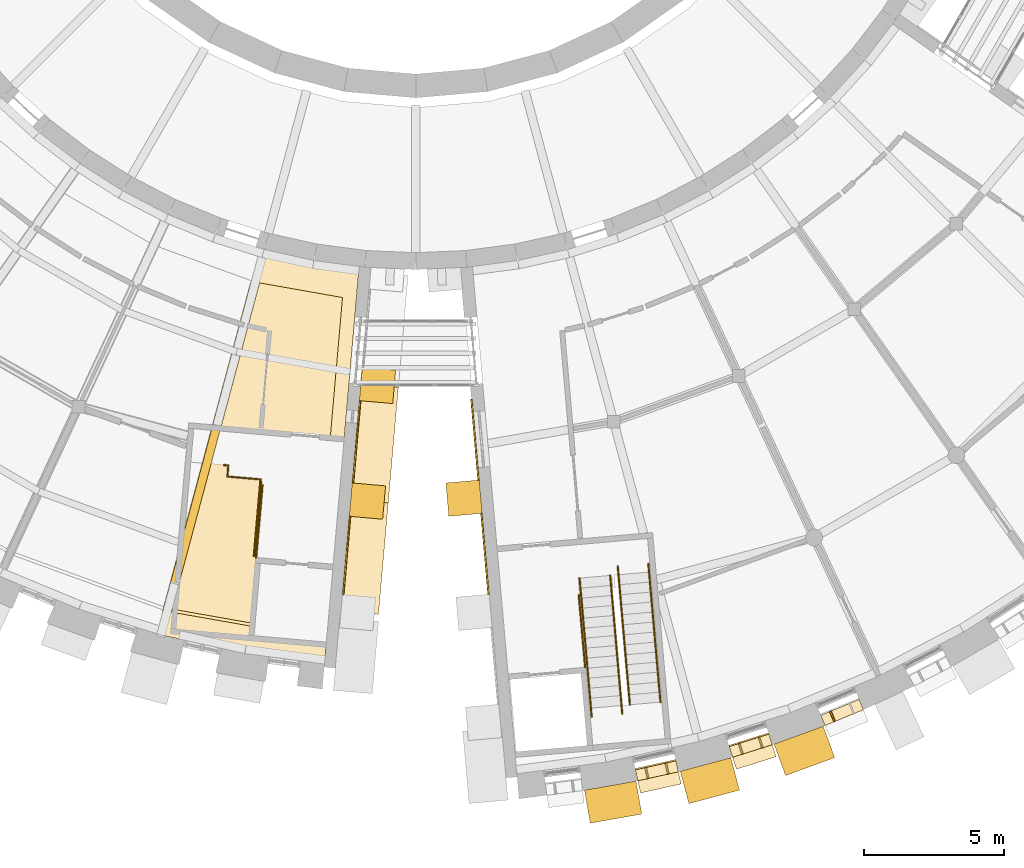
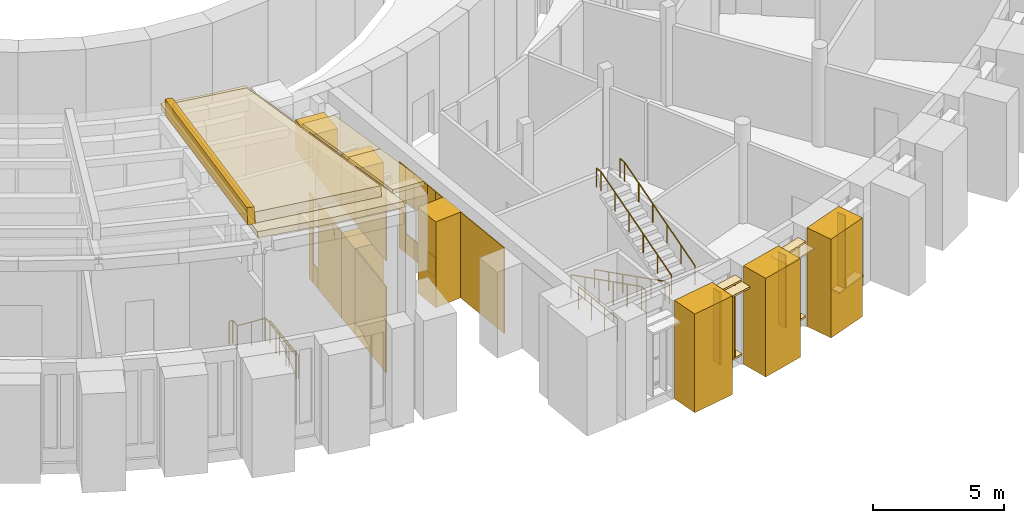
# One storey, part 53 of 66: 41 coverings, 7 railings.
"""IFC4 building model written with IfcOpenShell, lengths in metres."""

from ifc_helpers import new_model, si_unit, direction, frame, origin, origin_2d, place, context, subcontext, project, spatial, polyline, rectangle, circle, outline, extrude, material, layer, layer_set, type_object, element, save


model = new_model("IFC4")

# Units and contexts
model_context = context("Model", 3, precision=1e-05, world=origin(), true_north=direction((0.0, 1.0)))
body_context = subcontext(model_context, "Body", "Model", "MODEL_VIEW")
ifc_project = project(units=[si_unit("LENGTHUNIT", "METRE"), si_unit("AREAUNIT", "SQUARE_METRE"), si_unit("VOLUMEUNIT", "CUBIC_METRE"), si_unit("PLANEANGLEUNIT", "RADIAN"), si_unit("MASSUNIT", "GRAM", prefix="KILO")], contexts=[model_context])

# Site, building, storey
site_placement = place(None, origin())
site = spatial("IfcSite", under=ifc_project, at=site_placement, CompositionType="ELEMENT")
building_placement = place(site_placement, origin())
building = spatial("IfcBuilding", under=site, at=building_placement, Name="Volute Hill Aquarium", CompositionType="ELEMENT")
storey_placement = place(building_placement, frame((0.0, 0.0, 4.60009765625)))
storey = spatial("IfcBuildingStorey", under=building, at=storey_placement, Name="L02", CompositionType="ELEMENT", Elevation=4.60009765625)

# Coverings
ifc_material_1 = material(Name="Precast concrete C40/50", Category="concrete")
covering_type_1 = type_object("IfcCoveringType", Name="End wall precast coping C40/50 1350x200", PredefinedType="CLADDING", material=ifc_material_1)
covering_1_placement = place(storey_placement, frame((-1.970458984375, -25.103759765625, 6.6162109375), z_axis=(-0.996195309833, 0.087148750227, 0.0), x_axis=(-0.084403750156, -0.964817278714, 0.249005272344)))
element("IfcCovering", 1, at=covering_1_placement, inside=storey, type_object=covering_type_1, Name="End wall coping EWC S2B L02 2", PredefinedType="CLADDING", context=body_context, shape_type="SweptSolid", body=[
    extrude(outline(polyline([(0.0, 0.0), (4.295411370431066, 0.0), (4.345200266439362, 0.19365313570521092), (0.0498496883111152, 0.1938895864203576), (0.0, 0.0)])), origin(), (0.0, 0.0, -1.0), 1.35009765625),
])
covering_2_placement = place(storey_placement, frame((-2.3330078125, -29.248046875, 7.685791015625), z_axis=(-0.996197285348, 0.08712616522, 0.0), x_axis=(-0.084382849387, -0.964830315637, 0.248961837955)))
element("IfcCovering", 2, at=covering_2_placement, inside=storey, type_object=covering_type_1, Name="End wall coping EWC S2B L02 3", PredefinedType="CLADDING", context=body_context, shape_type="SweptSolid", body=[
    extrude(outline(polyline([(0.0, 0.0), (4.140239834415203, 0.0), (4.190080827365153, 0.19389182182014697), (0.04978021125123129, 0.19365536837890285), (0.0, 0.0)])), origin(), (0.0, 0.0, -1.0), 1.35009765625),
])
ifc_material_2 = material(Name="Precast concrete C40/50", Category="concrete")
covering_type_2 = type_object("IfcCoveringType", Name="End wall precast fin C40/50 1200x1200", PredefinedType="CLADDING", material=ifc_material_2)
covering_3_placement = place(storey_placement, frame((-1.372802734375, -25.156005859375, 5.199951171875), z_axis=(0.0, 0.0, 1.0), x_axis=(-0.087151294349, -0.996195087266, 0.0)))
element("IfcCovering", 3, at=covering_3_placement, inside=storey, type_object=covering_type_2, Name="End wall fin EWF S2B L02 2", PredefinedType="CLADDING", context=body_context, shape_type="SweptSolid", body=[
    extrude(rectangle(XDim=1.199951171875, YDim=1.199951171875, at=origin_2d()), origin(), (0.0, 0.0, 1.0), 1.41650390625),
])
covering_4_placement = place(storey_placement, frame((-1.7353515625, -29.30029296875, 0.0), z_axis=(0.0, 0.0, 1.0), x_axis=(-0.087151294349, -0.996195087266, 0.0)))
element("IfcCovering", 4, at=covering_4_placement, inside=storey, type_object=covering_type_2, Name="End wall fin EWF S2B L02 3", PredefinedType="CLADDING", context=body_context, shape_type="SweptSolid", body=[
    extrude(rectangle(XDim=1.199951171875, YDim=1.199951171875, at=origin_2d()), origin(), (0.0, 0.0, 1.0), 4.0),
])
covering_5_placement = place(storey_placement, frame((-1.7353515625, -29.30029296875, 5.199951171875), z_axis=(0.0, 0.0, 1.0), x_axis=(-0.087151294349, -0.996195087266, 0.0)))
element("IfcCovering", 5, at=covering_5_placement, inside=storey, type_object=covering_type_2, Name="End wall fin EWF S2B L02 3", PredefinedType="CLADDING", context=body_context, shape_type="SweptSolid", body=[
    extrude(rectangle(XDim=1.199951171875, YDim=1.199951171875, at=origin_2d()), origin(), (0.0, 0.0, 1.0), 2.48583984375),
])
covering_6_placement = place(storey_placement, frame((1.72607421875, -29.195556640625, 0.0), z_axis=(0.0, 0.0, 1.0), x_axis=(0.0871544444, -0.996194811682, 0.0)))
element("IfcCovering", 6, at=covering_6_placement, inside=storey, type_object=covering_type_2, Name="End wall fin EWF S3A L02 3", PredefinedType="CLADDING", context=body_context, shape_type="SweptSolid", body=[
    extrude(rectangle(XDim=1.199951171875, YDim=1.199951171875, at=origin_2d()), origin(), (0.0, 0.0, 1.0), 4.0),
])
ifc_material_3 = material(Name="Precast concrete C40/50", Category="concrete")
ifc_layer_1 = layer(ifc_material_3, 0.050048828125)
ifc_layer_set_1 = layer_set([ifc_layer_1], Name="End wall precast infill panel C40/50 50")
covering_type_3 = type_object("IfcCoveringType", Name="End wall precast infill panel C40/50 50", PredefinedType="CLADDING", material=ifc_layer_set_1)
covering_7_placement = place(storey_placement, frame((-2.022705078125, -25.701416015625, 0.0), z_axis=(-0.996198047292, 0.087117452734, 0.0), x_axis=(-0.087117452734, -0.996198047292, 0.0)))
element("IfcCovering", 7, at=covering_7_placement, inside=storey, type_object=covering_type_3, Name="End wall panel EWP S2B L02 2", PredefinedType="CLADDING", context=body_context, shape_type="SweptSolid", body=[
    extrude(outline(polyline([(0.0, 0.0), (0.3671184231328444, 0.0), (0.3671184231328444, 4.0), (0.0, 4.0), (0.0, 0.0)])), origin(), (0.0, 0.0, -1.0), 0.050048828125),
])
covering_8_placement = place(storey_placement, frame((-2.022705078125, -25.701416015625, 5.199951171875), z_axis=(-0.996198047292, 0.087117452734, 0.0), x_axis=(-0.087117452734, -0.996198047292, 0.0)))
element("IfcCovering", 8, at=covering_8_placement, inside=storey, type_object=covering_type_3, Name="End wall panel EWP S2B L02 2", PredefinedType="CLADDING", context=body_context, shape_type="SweptSolid", body=[
    extrude(outline(polyline([(0.0, 0.0), (0.3671184231328444, 0.0), (0.3671184231328444, 1.6650390625000004), (0.0, 1.5705566406250004), (0.0, 0.0)])), origin(), (0.0, 0.0, -1.0), 0.050048828125),
])
covering_9_placement = place(storey_placement, frame((-2.0546875, -26.067138671875, 0.0), z_axis=(-0.996177209405, 0.087355408886, 0.0), x_axis=(-0.087355408886, -0.996177209405, 0.0)))
element("IfcCovering", 9, at=covering_9_placement, inside=storey, type_object=covering_type_3, Name="End wall panel EWP S2B L02 2", PredefinedType="CLADDING", context=body_context, shape_type="SweptSolid", body=[
    extrude(outline(polyline([(0.0, 0.0), (0.4499622991451707, 0.0), (0.4499622991451707, 0.89990234375), (0.0, 0.89990234375), (0.0, 0.0)])), origin(), (0.0, 0.0, -1.0), 0.050048828125),
])
covering_10_placement = place(storey_placement, frame((-2.0546875, -26.067138671875, 5.199951171875), z_axis=(-0.996177209405, 0.087355408886, 0.0), x_axis=(-0.087355408886, -0.996177209405, 0.0)))
element("IfcCovering", 10, at=covering_10_placement, inside=storey, type_object=covering_type_3, Name="End wall panel EWP S2B L02 2", PredefinedType="CLADDING", context=body_context, shape_type="SweptSolid", body=[
    extrude(outline(polyline([(0.0, 0.0), (0.4499622991451707, 0.0), (0.4499622991451707, 1.78076171875), (0.0, 1.6650390625), (0.0, 0.0)])), origin(), (0.0, 0.0, -1.0), 0.050048828125),
])
covering_11_placement = place(storey_placement, frame((-2.093994140625, -26.515380859375, 0.0), z_axis=(-0.996194706736, 0.087155643945, 0.0), x_axis=(-0.087155643945, -0.996194706736, 0.0)))
element("IfcCovering", 11, at=covering_11_placement, inside=storey, type_object=covering_type_3, Name="End wall panel EWP S2B L02 2", PredefinedType="CLADDING", context=body_context, shape_type="SweptSolid", body=[
    extrude(outline(polyline([(0.0, 0.0), (2.1429200642861876, 0.0), (2.1429200642861876, 4.0), (0.0, 4.0), (0.0, 0.0)])), origin(), (0.0, 0.0, -1.0), 0.050048828125),
])
covering_12_placement = place(storey_placement, frame((-2.093994140625, -26.515380859375, 5.199951171875), z_axis=(-0.996194706736, 0.087155643945, 0.0), x_axis=(-0.087155643945, -0.996194706736, 0.0)))
element("IfcCovering", 12, at=covering_12_placement, inside=storey, type_object=covering_type_3, Name="End wall panel EWP S2B L02 2", PredefinedType="CLADDING", context=body_context, shape_type="SweptSolid", body=[
    extrude(outline(polyline([(0.0, 0.0), (2.1429200642861876, 0.0), (2.1429200642861876, 2.33154296875), (0.0, 1.78076171875), (0.0, 0.0)])), origin(), (0.0, 0.0, -1.0), 0.050048828125),
])
covering_13_placement = place(storey_placement, frame((-2.38525390625, -29.845703125, 0.0), z_axis=(-0.996195791942, 0.087143239082, 0.0), x_axis=(-0.087143239082, -0.996195791942, 0.0)))
element("IfcCovering", 13, at=covering_13_placement, inside=storey, type_object=covering_type_3, Name="End wall panel EWP S2B L02 3", PredefinedType="CLADDING", context=body_context, shape_type="SweptSolid", body=[
    extrude(outline(polyline([(0.0, 0.0), (2.810006254688103, 0.0), (2.810006254688103, 4.0), (0.0, 4.0), (0.0, 0.0)])), origin(), (0.0, 0.0, -1.0), 0.050048828125),
])
covering_14_placement = place(storey_placement, frame((-2.38525390625, -29.845703125, 5.199951171875), z_axis=(-0.996195791942, 0.087143239082, 0.0), x_axis=(-0.087143239082, -0.996195791942, 0.0)))
element("IfcCovering", 14, at=covering_14_placement, inside=storey, type_object=covering_type_3, Name="End wall panel EWP S2B L02 3", PredefinedType="CLADDING", context=body_context, shape_type="SweptSolid", body=[
    extrude(outline(polyline([(0.0, 0.0), (2.810006254688103, 0.0), (2.810006254688103, 3.3625488281249996), (0.0, 2.6401367187499996), (0.0, 0.0)])), origin(), (0.0, 0.0, -1.0), 0.050048828125),
])
covering_15_placement = place(storey_placement, frame((1.968505859375, -25.653564453125, 0.0), z_axis=(-0.996224282231, -0.086816930913, 0.0), x_axis=(0.086816930913, -0.996224282231, 0.0)))
element("IfcCovering", 15, at=covering_15_placement, inside=storey, type_object=covering_type_3, Name="End wall panel EWP S3A L02 2", PredefinedType="CLADDING", context=body_context, shape_type="SweptSolid", body=[
    extrude(outline(polyline([(0.0, 0.0), (0.44994103787166956, 0.0), (0.44994103787166956, 3.9999999999999996), (0.0, 3.9999999999999996), (0.0, 0.0)])), origin(), (0.0, 0.0, -1.0), 0.050048828125),
])
covering_16_placement = place(storey_placement, frame((2.007568359375, -26.101806640625, 0.0), z_axis=(-0.996184142487, -0.087276309829, 0.0), x_axis=(0.087276309829, -0.996184142487, 0.0)))
element("IfcCovering", 16, at=covering_16_placement, inside=storey, type_object=covering_type_3, Name="End wall panel EWP S3A L02 2", PredefinedType="CLADDING", context=body_context, shape_type="SweptSolid", body=[
    extrude(outline(polyline([(0.0, 0.0), (0.553871306486046, 0.0), (0.553871306486046, 0.89990234375), (0.0, 0.89990234375), (0.0, 0.0)])), origin(), (0.0, 0.0, -1.0), 0.050048828125),
])
covering_17_placement = place(storey_placement, frame((2.007568359375, -26.101806640625, 2.39990234375), z_axis=(-0.996184142487, -0.087276309829, 0.0), x_axis=(0.087276309829, -0.996184142487, 0.0)))
element("IfcCovering", 17, at=covering_17_placement, inside=storey, type_object=covering_type_3, Name="End wall panel EWP S3A L02 2", PredefinedType="CLADDING", context=body_context, shape_type="SweptSolid", body=[
    extrude(outline(polyline([(0.0, 0.0), (0.553871306486046, 0.0), (0.553871306486046, 1.60009765625), (0.0, 1.60009765625), (0.0, 0.0)])), origin(), (0.0, 0.0, -1.0), 0.050048828125),
])
covering_18_placement = place(storey_placement, frame((2.055908203125, -26.653564453125, 0.0), z_axis=(-0.996200781645, -0.087086179441, 0.0), x_axis=(0.087086179441, -0.996200781645, 0.0)))
element("IfcCovering", 18, at=covering_18_placement, inside=storey, type_object=covering_type_3, Name="End wall panel EWP S3A L02 2", PredefinedType="CLADDING", context=body_context, shape_type="SweptSolid", body=[
    extrude(outline(polyline([(0.0, 0.0), (0.8999033041507525, 0.0), (0.8999033041507525, 0.89990234375), (0.0, 0.89990234375), (0.0, 0.0)])), origin(), (0.0, 0.0, -1.0), 0.050048828125),
])
covering_19_placement = place(storey_placement, frame((2.055908203125, -26.653564453125, 2.39990234375), z_axis=(-0.996200781645, -0.087086179441, 0.0), x_axis=(0.087086179441, -0.996200781645, 0.0)))
element("IfcCovering", 19, at=covering_19_placement, inside=storey, type_object=covering_type_3, Name="End wall panel EWP S3A L02 2", PredefinedType="CLADDING", context=body_context, shape_type="SweptSolid", body=[
    extrude(outline(polyline([(0.0, 0.0), (0.8999033041507525, 0.0), (0.8999033041507525, 1.60009765625), (0.0, 1.60009765625), (0.0, 0.0)])), origin(), (0.0, 0.0, -1.0), 0.050048828125),
])
covering_20_placement = place(storey_placement, frame((2.13427734375, -27.550048828125, 0.0), z_axis=(-0.996184142487, -0.087276309829, 0.0), x_axis=(0.087276309829, -0.996184142487, 0.0)))
element("IfcCovering", 20, at=covering_20_placement, inside=storey, type_object=covering_type_3, Name="End wall panel EWP S3A L02 2", PredefinedType="CLADDING", context=body_context, shape_type="SweptSolid", body=[
    extrude(outline(polyline([(0.0, 0.0), (0.553871306486046, 0.0), (0.553871306486046, 0.89990234375), (0.0, 0.89990234375), (0.0, 0.0)])), origin(), (0.0, 0.0, -1.0), 0.050048828125),
])
covering_21_placement = place(storey_placement, frame((2.13427734375, -27.550048828125, 2.39990234375), z_axis=(-0.996184142487, -0.087276309829, 0.0), x_axis=(0.087276309829, -0.996184142487, 0.0)))
element("IfcCovering", 21, at=covering_21_placement, inside=storey, type_object=covering_type_3, Name="End wall panel EWP S3A L02 2", PredefinedType="CLADDING", context=body_context, shape_type="SweptSolid", body=[
    extrude(outline(polyline([(0.0, 0.0), (0.553871306486046, 0.0), (0.553871306486046, 1.60009765625), (0.0, 1.60009765625), (0.0, 0.0)])), origin(), (0.0, 0.0, -1.0), 0.050048828125),
])
covering_22_placement = place(storey_placement, frame((2.1826171875, -28.101806640625, 0.0), z_axis=(-0.996224282231, -0.086816930913, 0.0), x_axis=(0.086816930913, -0.996224282231, 0.0)))
element("IfcCovering", 22, at=covering_22_placement, inside=storey, type_object=covering_type_3, Name="End wall panel EWP S3A L02 2", PredefinedType="CLADDING", context=body_context, shape_type="SweptSolid", body=[
    extrude(outline(polyline([(0.0, 0.0), (0.44994103787166956, 0.0), (0.44994103787166956, 3.9999999999999996), (0.0, 3.9999999999999996), (0.0, 0.0)])), origin(), (0.0, 0.0, -1.0), 0.050048828125),
])
covering_23_placement = place(storey_placement, frame((2.326416015625, -29.745361328125, 0.0), z_axis=(-0.996194446597, -0.087158617293, 0.0), x_axis=(0.087158617293, -0.996194446597, 0.0)))
element("IfcCovering", 23, at=covering_23_placement, inside=storey, type_object=covering_type_3, Name="End wall panel EWP S3A L02 3", PredefinedType="CLADDING", context=body_context, shape_type="SweptSolid", body=[
    extrude(outline(polyline([(0.0, 0.0), (2.907549208784697, 0.0), (2.907549208784697, 4.0), (0.0, 4.0), (0.0, 0.0)])), origin(), (0.0, 0.0, -1.0), 0.050048828125),
])
ifc_material_4 = material(Name="Planted growing medium")
ifc_layer_2 = layer(ifc_material_4, 0.25)
ifc_layer_set_2 = layer_set([ifc_layer_2], Name="Green roof build-up 250")
covering_type_4 = type_object("IfcCoveringType", Name="Green roof build-up 250", PredefinedType="ROOFING", material=ifc_layer_set_2)
covering_24_placement = place(storey_placement, frame((-3.646484375, -20.680908203125, 6.07861328125), z_axis=(0.043410368735, 0.246089475959, 0.968274501218), x_axis=(-0.976246328696, 0.216372663784, -0.011223906366)))
element("IfcCovering", 24, at=covering_24_placement, inside=storey, type_object=covering_type_4, Name="Planted roof RF S2 5", PredefinedType="ROOFING", context=body_context, shape_type="SweptSolid", body=[
    extrude(outline(polyline([(0.0, 0.0), (1.8323459141790461, 3.0357660829594124e-17), (2.415506329473509, 14.752971212987514), (-0.6642702097668699, 14.75312007011782), (-3.5319443303227405, 14.494308350104383), (-1.6251610635857208, -0.14658838000592583), (0.0, 0.0)])), origin(), (0.0, 0.0, -1.0), 0.25),
])

# Railings
ifc_material_5 = material(Name="Stainless steel 1.4301", Category="steel")
railing_type_1 = type_object("IfcRailingType", Name="Guard 1100 stainless", PredefinedType="GUARDRAIL", material=ifc_material_5)
railing_1_placement = place(storey_placement, frame((-5.721435546875, -31.320556640625, 0.0)))
element("IfcRailing", 25, at=railing_1_placement, inside=storey, type_object=railing_type_1, Name="gd/S2-B/L02/edge", PredefinedType="GUARDRAIL", context=body_context, shape_type="SweptSolid", body=[
    extrude(circle(Radius=0.02392578125, at=origin_2d()), frame((0.0, 0.0, 1.076171875), z_axis=(0.087140158824, 0.996196061386, 0.0), x_axis=(-0.996196061386, 0.087140158824, 0.0)), (0.0, 0.0, 1.0), 2.60009765625),
    extrude(circle(Radius=0.02099609375, at=origin_2d()), origin(), (0.0, 0.0, 1.0), 1.052001953125),
    extrude(circle(Radius=0.02099609375, at=origin_2d()), frame((0.075439453125, 0.86328125, 0.0)), (0.0, 0.0, 1.0), 1.052001953125),
    extrude(circle(Radius=0.02099609375, at=origin_2d()), frame((0.151123046875, 1.726806640625, 0.0)), (0.0, 0.0, 1.0), 1.052001953125),
    extrude(circle(Radius=0.02099609375, at=origin_2d()), frame((0.2265625, 2.590087890625, 0.0)), (0.0, 0.0, 1.0), 1.052001953125),
])
railing_2_placement = place(storey_placement, frame((-6.8671875, -28.008056640625, 0.0)))
element("IfcRailing", 26, at=railing_2_placement, inside=storey, type_object=railing_type_1, Name="gd/S2-B/L02/well", PredefinedType="GUARDRAIL", context=body_context, shape_type="SweptSolid", body=[
    extrude(circle(Radius=0.02392578125, at=origin_2d()), frame((0.0, 0.0, 1.076171875), z_axis=(0.99627106838, -0.086278376837, 0.0), x_axis=(0.086278376837, 0.99627106838, 0.0)), (0.0, 0.0, 1.0), 0.14990234375),
    extrude(circle(Radius=0.02392578125, at=origin_2d()), frame((0.1494140625, -0.012939453125, 1.076171875), z_axis=(-0.087235057608, -0.996187755759, 0.0), x_axis=(0.996187755759, -0.087235057608, 0.0)), (0.0, 0.0, 1.0), 0.400146484375),
    extrude(circle(Radius=0.02392578125, at=origin_2d()), frame((0.114501953125, -0.41162109375, 1.076171875), z_axis=(0.996202324311, -0.087068530693, 0.0), x_axis=(0.087068530693, 0.996202324311, 0.0)), (0.0, 0.0, 1.0), 1.2001953125),
    extrude(circle(Radius=0.02392578125, at=origin_2d()), frame((1.31005859375, -0.51611328125, 1.076171875), z_axis=(-0.087181267293, -0.996192464654, 0.0), x_axis=(0.996192464654, -0.087181267293, 0.0)), (0.0, 0.0, 1.0), 2.75),
    extrude(circle(Radius=0.02099609375, at=origin_2d()), origin(), (0.0, 0.0, 1.0), 1.052001953125),
    extrude(circle(Radius=0.02099609375, at=origin_2d()), frame((0.1494140625, -0.012939453125, 0.0)), (0.0, 0.0, 1.0), 1.052001953125),
    extrude(circle(Radius=0.02099609375, at=origin_2d()), frame((0.114501953125, -0.41162109375, 0.0)), (0.0, 0.0, 1.0), 1.052001953125),
    extrude(circle(Radius=0.02099609375, at=origin_2d()), frame((0.71240234375, -0.4638671875, 0.0)), (0.0, 0.0, 1.0), 1.052001953125),
    extrude(circle(Radius=0.02099609375, at=origin_2d()), frame((1.31005859375, -0.51611328125, 0.0)), (0.0, 0.0, 1.0), 1.052001953125),
    extrude(circle(Radius=0.02099609375, at=origin_2d()), frame((1.230224609375, -1.42919921875, 0.0)), (0.0, 0.0, 1.0), 1.052001953125),
    extrude(circle(Radius=0.02099609375, at=origin_2d()), frame((1.150146484375, -2.342529296875, 0.0)), (0.0, 0.0, 1.0), 1.052001953125),
    extrude(circle(Radius=0.02099609375, at=origin_2d()), frame((1.0703125, -3.255615234375, 0.0)), (0.0, 0.0, 1.0), 1.052001953125),
])
railing_3_placement = place(storey_placement, frame((6.06591796875, -35.255615234375, 0.0)))
element("IfcRailing", 27, at=railing_3_placement, inside=storey, type_object=railing_type_1, Name="gd/S3-A/L02/edge", PredefinedType="GUARDRAIL", context=body_context, shape_type="SweptSolid", body=[
    extrude(circle(Radius=0.02392578125, at=origin_2d()), frame((0.0, 0.0, 1.076171875), z_axis=(-0.087225186436, 0.996188620117, 0.0), x_axis=(-0.996188620117, -0.087225186436, 0.0)), (0.0, 0.0, 1.0), 2.600341796875),
    extrude(circle(Radius=0.02099609375, at=origin_2d()), origin(), (0.0, 0.0, 1.0), 1.052001953125),
    extrude(circle(Radius=0.02099609375, at=origin_2d()), frame((-0.07568359375, 0.863525390625, 0.0)), (0.0, 0.0, 1.0), 1.052001953125),
    extrude(circle(Radius=0.02099609375, at=origin_2d()), frame((-0.151123046875, 1.726806640625, 0.0)), (0.0, 0.0, 1.0), 1.052001953125),
    extrude(circle(Radius=0.02099609375, at=origin_2d()), frame((-0.226806640625, 2.59033203125, 0.0)), (0.0, 0.0, 1.0), 1.052001953125),
])
railing_4_placement = place(storey_placement, frame((5.86669921875, -32.060791015625, 0.164306640625)))
element("IfcRailing", 28, at=railing_4_placement, inside=storey, type_object=railing_type_1, Name="gd/S3-A/L02/1", PredefinedType="GUARDRAIL", context=body_context, shape_type="SweptSolid", body=[
    extrude(circle(Radius=0.02392578125, at=origin_2d()), frame((0.0, 0.0, 1.076171875), z_axis=(0.079258608814, -0.906300834673, 0.415134761253), x_axis=(0.996197793412, 0.087120355834, 0.0)), (0.0, 0.0, 1.0), 5.14404296875),
    extrude(circle(Radius=0.02392578125, at=origin_2d()), frame((0.40771484375, -4.662109375, 3.21142578125), z_axis=(0.087086179441, -0.996200781645, 0.0), x_axis=(0.996200781645, 0.087086179441, 0.0)), (0.0, 0.0, 1.0), 0.300048828125),
    extrude(circle(Radius=0.02099609375, at=origin_2d()), origin(), (0.0, 0.0, 1.0), 1.052001953125),
    extrude(circle(Radius=0.02099609375, at=origin_2d()), frame((0.08154296875, -0.932373046875, 0.427001953125)), (0.0, 0.0, 1.0), 1.052001953125),
    extrude(circle(Radius=0.02099609375, at=origin_2d()), frame((0.1630859375, -1.86474609375, 0.854248046875)), (0.0, 0.0, 1.0), 1.052001953125),
    extrude(circle(Radius=0.02099609375, at=origin_2d()), frame((0.24462890625, -2.79736328125, 1.28125)), (0.0, 0.0, 1.0), 1.052001953125),
    extrude(circle(Radius=0.02099609375, at=origin_2d()), frame((0.326171875, -3.729736328125, 1.70849609375)), (0.0, 0.0, 1.0), 1.052001953125),
    extrude(circle(Radius=0.02099609375, at=origin_2d()), frame((0.40771484375, -4.662109375, 2.135498046875)), (0.0, 0.0, 1.0), 1.052001953125),
    extrude(circle(Radius=0.02099609375, at=origin_2d()), frame((0.433837890625, -4.9609375, 2.135498046875)), (0.0, 0.0, 1.0), 1.052001953125),
])
ifc_material_6 = material(Name="Stainless steel 1.4301", Category="steel")
railing_type_2 = type_object("IfcRailingType", Name="Handrail 48 stainless", PredefinedType="HANDRAIL", material=ifc_material_6)
railing_5_placement = place(storey_placement, frame((6.96240234375, -31.96484375, 0.164306640625)))
element("IfcRailing", 29, at=railing_5_placement, inside=storey, type_object=railing_type_2, Name="hr/S3-A/L02/2", PredefinedType="HANDRAIL", context=body_context, shape_type="SweptSolid", body=[
    extrude(circle(Radius=0.02392578125, at=origin_2d()), frame((0.0, 0.0, 0.8759765625), z_axis=(0.07930577065, -0.9062974245, 0.415133199209), x_axis=(0.996193264484, 0.087172127406, 0.0)), (0.0, 0.0, 1.0), 5.14404296875),
    extrude(circle(Radius=0.02392578125, at=origin_2d()), frame((0.407958984375, -4.662109375, 3.01123046875), z_axis=(0.087086179441, -0.996200781645, 0.0), x_axis=(0.996200781645, 0.087086179441, 0.0)), (0.0, 0.0, 1.0), 0.300048828125),
    extrude(circle(Radius=0.02099609375, at=origin_2d()), origin(), (0.0, 0.0, 1.0), 0.851806640625),
    extrude(circle(Radius=0.02099609375, at=origin_2d()), frame((0.08154296875, -0.932373046875, 0.427001953125)), (0.0, 0.0, 1.0), 0.851806640625),
    extrude(circle(Radius=0.02099609375, at=origin_2d()), frame((0.1630859375, -1.86474609375, 0.854248046875)), (0.0, 0.0, 1.0), 0.851806640625),
    extrude(circle(Radius=0.02099609375, at=origin_2d()), frame((0.244873046875, -2.79736328125, 1.28125)), (0.0, 0.0, 1.0), 0.851806640625),
    extrude(circle(Radius=0.02099609375, at=origin_2d()), frame((0.326416015625, -3.729736328125, 1.70849609375)), (0.0, 0.0, 1.0), 0.851806640625),
    extrude(circle(Radius=0.02099609375, at=origin_2d()), frame((0.407958984375, -4.662109375, 2.135498046875)), (0.0, 0.0, 1.0), 0.851806640625),
    extrude(circle(Radius=0.02099609375, at=origin_2d()), frame((0.43408203125, -4.9609375, 2.135498046875)), (0.0, 0.0, 1.0), 0.851806640625),
])
railing_6_placement = place(storey_placement, frame((7.669189453125, -36.600830078125, 2.464111328125)))
element("IfcRailing", 30, at=railing_6_placement, inside=storey, type_object=railing_type_2, Name="hr/S3-A/L02/3", PredefinedType="HANDRAIL", context=body_context, shape_type="SweptSolid", body=[
    extrude(circle(Radius=0.02392578125, at=origin_2d()), frame((0.0, 0.0, 0.8759765625), z_axis=(-0.079304208105, 0.90627956791, 0.415172479057), x_axis=(-0.996193264484, -0.087172127406, 0.0)), (0.0, 0.0, 1.0), 5.144287109375),
    extrude(circle(Radius=0.02392578125, at=origin_2d()), frame((-0.407958984375, 4.662109375, 3.01171875), z_axis=(-0.087086179441, 0.996200781645, 0.0), x_axis=(-0.996200781645, -0.087086179441, 0.0)), (0.0, 0.0, 1.0), 0.300048828125),
    extrude(circle(Radius=0.02099609375, at=origin_2d()), origin(), (0.0, 0.0, 1.0), 0.851806640625),
    extrude(circle(Radius=0.02099609375, at=origin_2d()), frame((-0.08154296875, 0.932373046875, 0.42724609375)), (0.0, 0.0, 1.0), 0.851806640625),
    extrude(circle(Radius=0.02099609375, at=origin_2d()), frame((-0.1630859375, 1.86474609375, 0.854248046875)), (0.0, 0.0, 1.0), 0.851806640625),
    extrude(circle(Radius=0.02099609375, at=origin_2d()), frame((-0.244873046875, 2.79736328125, 1.281494140625)), (0.0, 0.0, 1.0), 0.851806640625),
    extrude(circle(Radius=0.02099609375, at=origin_2d()), frame((-0.326416015625, 3.729736328125, 1.70849609375)), (0.0, 0.0, 1.0), 0.851806640625),
    extrude(circle(Radius=0.02099609375, at=origin_2d()), frame((-0.407958984375, 4.662109375, 2.1357421875)), (0.0, 0.0, 1.0), 0.851806640625),
    extrude(circle(Radius=0.02099609375, at=origin_2d()), frame((-0.43408203125, 4.9609375, 2.1357421875)), (0.0, 0.0, 1.0), 0.851806640625),
])
railing_7_placement = place(storey_placement, frame((8.764892578125, -36.5048828125, 2.464111328125)))
element("IfcRailing", 31, at=railing_7_placement, inside=storey, type_object=railing_type_2, Name="hr/S3-A/L02/4", PredefinedType="HANDRAIL", context=body_context, shape_type="SweptSolid", body=[
    extrude(circle(Radius=0.02392578125, at=origin_2d()), frame((0.0, 0.0, 0.8759765625), z_axis=(-0.079257047186, 0.906282977881, 0.415174041187), x_axis=(-0.996197793412, -0.087120355834, 0.0)), (0.0, 0.0, 1.0), 5.144287109375),
    extrude(circle(Radius=0.02392578125, at=origin_2d()), frame((-0.40771484375, 4.662109375, 3.01171875), z_axis=(-0.087893810296, 0.996129850025, 0.0), x_axis=(-0.996129850025, -0.087893810296, 0.0)), (0.0, 0.0, 1.0), 0.300048828125),
    extrude(circle(Radius=0.02099609375, at=origin_2d()), origin(), (0.0, 0.0, 1.0), 0.851806640625),
    extrude(circle(Radius=0.02099609375, at=origin_2d()), frame((-0.08154296875, 0.932373046875, 0.42724609375)), (0.0, 0.0, 1.0), 0.851806640625),
    extrude(circle(Radius=0.02099609375, at=origin_2d()), frame((-0.1630859375, 1.86474609375, 0.854248046875)), (0.0, 0.0, 1.0), 0.851806640625),
    extrude(circle(Radius=0.02099609375, at=origin_2d()), frame((-0.24462890625, 2.79736328125, 1.281494140625)), (0.0, 0.0, 1.0), 0.851806640625),
    extrude(circle(Radius=0.02099609375, at=origin_2d()), frame((-0.326171875, 3.729736328125, 1.70849609375)), (0.0, 0.0, 1.0), 0.851806640625),
    extrude(circle(Radius=0.02099609375, at=origin_2d()), frame((-0.40771484375, 4.662109375, 2.1357421875)), (0.0, 0.0, 1.0), 0.851806640625),
    extrude(circle(Radius=0.02099609375, at=origin_2d()), frame((-0.43408203125, 4.9609375, 2.1357421875)), (0.0, 0.0, 1.0), 0.851806640625),
])

# Coverings
ifc_material_7 = material(Name="Aluminium, anodised", Category="aluminium")
ifc_layer_3 = layer(ifc_material_7, 0.080078125)
ifc_layer_set_3 = layer_set([ifc_layer_3], Name="Horizontal brise-soleil eyebrow 900x80")
covering_type_5 = type_object("IfcCoveringType", Name="Horizontal brise-soleil eyebrow 900x80", PredefinedType="CLADDING", material=ifc_layer_set_3)
for number, where, z_axis, x_axis, name in (
    (32, (8.681884765625, -39.161376953125, 3.809814453125), (0.0, 0.0, 1.0), (0.976296993237, 0.216435165805, 0.0), "Brise-soleil eyebrow BS S3 L02 2.1"),
    (33, (12.06201171875, -38.255859375, 3.809814453125), (0.0, 0.0, 1.0), (0.953713922474, 0.300715403793, 0.0), "Brise-soleil eyebrow BS S3 L02 3.1"),
):
    element("IfcCovering", number, at=place(storey_placement, frame(where, z_axis=z_axis, x_axis=x_axis)), inside=storey, type_object=covering_type_5, Name=name, PredefinedType="CLADDING", context=body_context, shape_type="SweptSolid", body=[
        extrude(rectangle(XDim=1.4892578125, YDim=0.89990234375, at=origin_2d()), origin(), (0.0, 0.0, 1.0), 0.080078125),
    ])
ifc_material_8 = material(Name="Planted growing medium")
ifc_layer_4 = layer(ifc_material_8, 0.449951171875)
ifc_layer_set_4 = layer_set([ifc_layer_4], Name="Planted roof bed 450")
covering_type_6 = type_object("IfcCoveringType", Name="Planted roof bed 450", PredefinedType="CLADDING", material=ifc_layer_set_4)
covering_25_placement = place(storey_placement, frame((-8.732421875, -33.169677734375, 9.9453125), z_axis=(0.043389040447, 0.246083406652, 0.968276999696), x_axis=(0.984808967097, -0.173641292111, 3.35226e-07)))
element("IfcCovering", 34, at=covering_25_placement, inside=storey, type_object=covering_type_6, Name="Planted roof bed RB S2 5", PredefinedType="CLADDING", context=body_context, shape_type="SweptSolid", body=[
    extrude(outline(polyline([(0.0, 0.0), (5.127699821229319, 0.0), (4.073384936938239, 12.44839962802782), (1.0546284314455994, 12.448388699130229), (0.0, 0.0)])), origin(), (0.0, 0.0, -1.0), 0.449951171875),
])
ifc_material_9 = material(Name="Precast concrete C30/37", Category="concrete")
covering_type_7 = type_object("IfcCoveringType", Name="Planted roof kerb precast concrete C30/37 300x700", PredefinedType="CLADDING", material=ifc_material_9)
covering_26_placement = place(storey_placement, frame((-5.890625, -21.40478515625, 7.093017578125), z_axis=(0.085345023408, 0.234832674454, 0.968281902128), x_axis=(-0.250668472497, -0.935507959939, 0.248978259667)))
element("IfcCovering", 35, at=covering_26_placement, inside=storey, type_object=covering_type_7, Name="Planted roof kerb RK S2 4.2", PredefinedType="CLADDING", context=body_context, shape_type="SweptSolid", body=[
    extrude(outline(polyline([(0.0, 0.0), (12.492922137479503, 9.71445146547012e-17), (12.491268241335927, 0.30008208757856963), (-0.0017146818515010368, 0.30008720862372107), (0.0, 0.0)])), origin(), (0.0, 0.0, -1.0), 0.699951171875),
])
ifc_material_10 = material(Name="Precast concrete C40/50", Category="concrete")
covering_type_8 = type_object("IfcCoveringType", Name="Projecting pier precast concrete C40/50 1875x1200", PredefinedType="CLADDING", material=ifc_material_10)
for number, where, z_axis, x_axis, name in (
    (36, (7.068603515625, -40.088134765625, -0.000244140625), (0.0, 0.0, 1.0), (0.984807753012, 0.173648177667, 0.0), "Projecting pier PP S3 L02 1"),
    (37, (10.53564453125, -39.319580078125, -0.000244140625), (0.0, 0.0, 1.0), (0.965925826289, 0.258819045103, 0.0), "Projecting pier PP S3 L02 2"),
    (38, (13.922607421875, -38.251708984375, -0.000244140625), (0.0, 0.0, 1.0), (0.939692620786, 0.342020143326, 0.0), "Projecting pier PP S3 L02 3"),
):
    element("IfcCovering", number, at=place(storey_placement, frame(where, z_axis=z_axis, x_axis=x_axis)), inside=storey, type_object=covering_type_8, Name=name, PredefinedType="CLADDING", context=body_context, shape_type="SweptSolid", body=[
        extrude(rectangle(XDim=1.87548828125, YDim=1.199951171875, at=origin_2d()), origin(), (0.0, 0.0, 1.0), 4.60009765625),
    ])
ifc_material_11 = material(Name="Timber, thermally modified ash", Category="wood")
covering_type_9 = type_object("IfcCoveringType", Name="Timber louvre fin 60x400", PredefinedType="CLADDING", material=ifc_material_11)
for number, where, z_axis, x_axis, name in (
    (39, (8.275146484375, -39.046875, 0.52978515625), (0.0, 0.0, 1.0), (0.976296993237, 0.216435165805, 0.0), "Timber louvre fin S3 L02 2.1.1"),
    (40, (9.001953125, -38.885498046875, 0.52978515625), (0.0, 0.0, 1.0), (0.976296993237, 0.216435165805, 0.0), "Timber louvre fin S3 L02 2.1.2"),
    (41, (11.646728515625, -38.177001953125, 0.52978515625), (0.0, 0.0, 1.0), (0.953713922474, 0.300715403793, 0.0), "Timber louvre fin S3 L02 3.1.1"),
    (42, (12.35693359375, -37.953125, 0.52978515625), (0.0, 0.0, 1.0), (0.953713922474, 0.300715403793, 0.0), "Timber louvre fin S3 L02 3.1.2"),
    (43, (14.9296875, -37.0166015625, 0.52978515625), (0.0, 0.0, 1.0), (0.923875360833, 0.382693503532, 0.0), "Timber louvre fin S3 L02 4.1.1"),
):
    element("IfcCovering", number, at=place(storey_placement, frame(where, z_axis=z_axis, x_axis=x_axis)), inside=storey, type_object=covering_type_9, Name=name, PredefinedType="CLADDING", context=body_context, shape_type="SweptSolid", body=[
        extrude(rectangle(XDim=0.06005859375, YDim=0.39990234375, at=origin_2d()), origin(), (0.0, 0.0, 1.0), 3.389892578125),
    ])
ifc_material_12 = material(Name="Timber, thermally modified ash", Category="wood")
covering_type_10 = type_object("IfcCoveringType", Name="Timber louvre fin rail 400x80", PredefinedType="CLADDING", material=ifc_material_12)
for number, where, z_axis, x_axis, name in (
    (44, (8.638427734375, -38.966064453125, 0.449951171875), (0.0, 0.0, 1.0), (0.976296993237, 0.216435165805, 0.0), "Timber louvre fin rail S3 L02 2.1"),
    (45, (8.638427734375, -38.966064453125, 3.919921875), (0.0, 0.0, 1.0), (0.976296993237, 0.216435165805, 0.0), "Timber louvre fin rail S3 L02 2.2"),
    (46, (12.001708984375, -38.06494140625, 0.449951171875), (0.0, 0.0, 1.0), (0.953713922474, 0.300715403793, 0.0), "Timber louvre fin rail S3 L02 3.1"),
    (47, (12.001708984375, -38.06494140625, 3.919921875), (0.0, 0.0, 1.0), (0.953713922474, 0.300715403793, 0.0), "Timber louvre fin rail S3 L02 3.2"),
    (48, (15.273681640625, -36.8740234375, 0.449951171875), (0.0, 0.0, 1.0), (0.923875360833, 0.382693503532, 0.0), "Timber louvre fin rail S3 L02 4.1"),
):
    element("IfcCovering", number, at=place(storey_placement, frame(where, z_axis=z_axis, x_axis=x_axis)), inside=storey, type_object=covering_type_10, Name=name, PredefinedType="CLADDING", context=body_context, shape_type="SweptSolid", body=[
        extrude(rectangle(XDim=1.4892578125, YDim=0.39990234375, at=origin_2d()), origin(), (0.0, 0.0, 1.0), 0.080078125),
    ])

save(model, "model.ifc")
